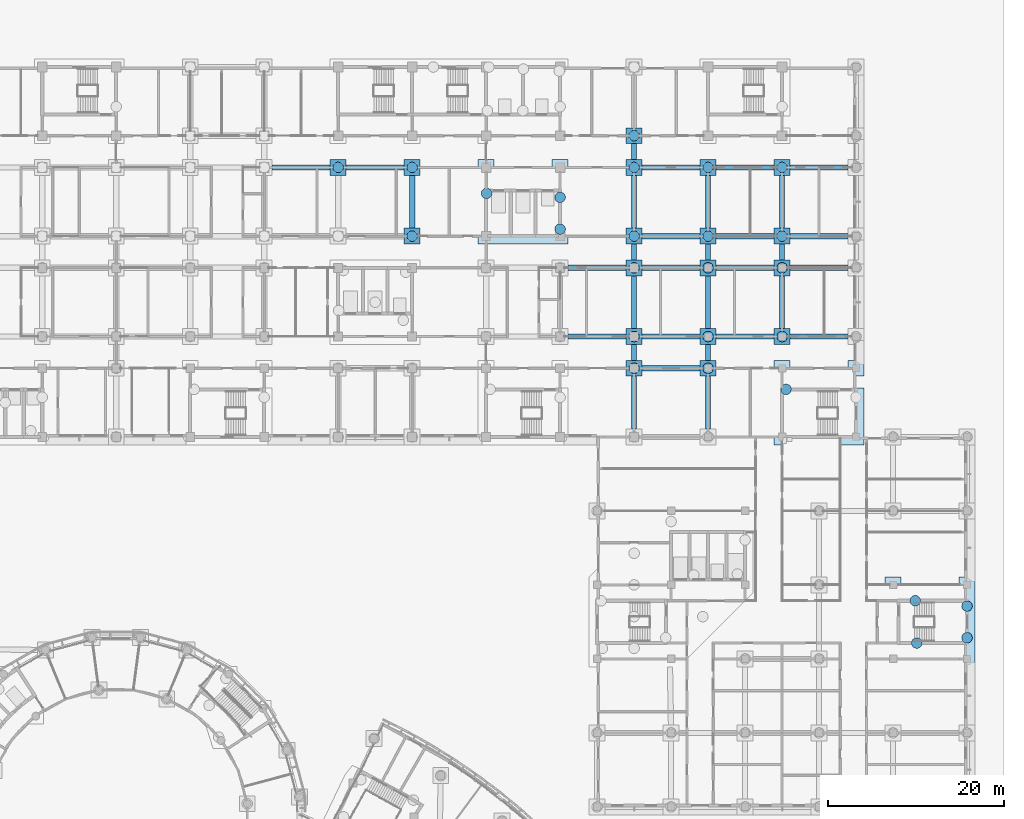
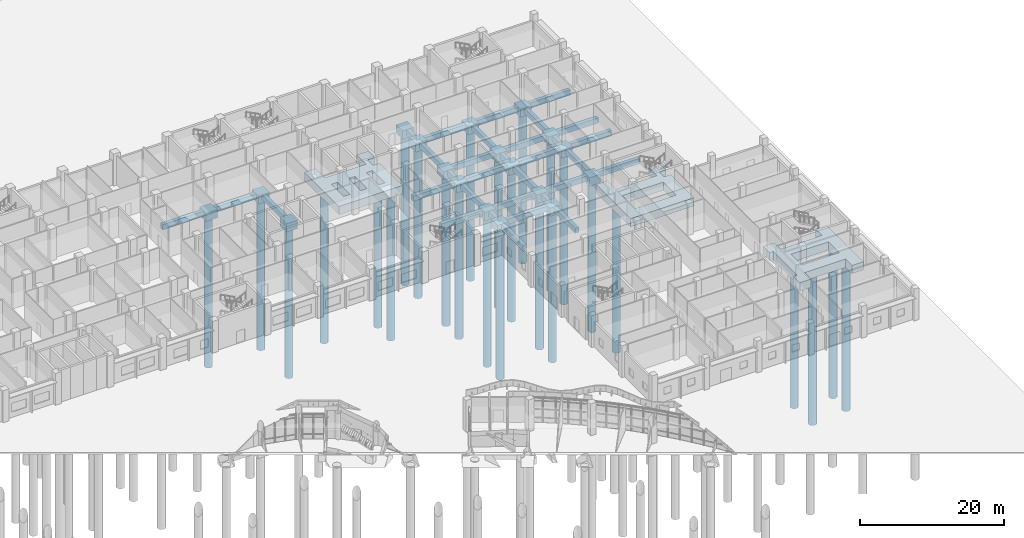
# One storey, part 9 of 146: 53 footings, 26 piles.
"""IFC4 building model written with IfcOpenShell, lengths in metres."""

from ifc_helpers import new_model, si_unit, direction, frame, origin, origin_2d, place, context, subcontext, project, spatial, polyline, rectangle, circle, outline, extrude, material, material_profile, profile_set, type_object, element, save


model = new_model("IFC4")

# Units and contexts
model_context = context("Model", 3, precision=1e-05, world=origin(), true_north=direction((0.0, 1.0)))
body_context = subcontext(model_context, "Body", "Model", "MODEL_VIEW")
ifc_project = project(units=[si_unit("LENGTHUNIT", "METRE"), si_unit("AREAUNIT", "SQUARE_METRE"), si_unit("VOLUMEUNIT", "CUBIC_METRE"), si_unit("PLANEANGLEUNIT", "RADIAN"), si_unit("MASSUNIT", "GRAM", prefix="KILO")], contexts=[model_context])

# Site, building, storey
site_placement = place(None, origin())
site = spatial("IfcSite", under=ifc_project, at=site_placement, CompositionType="ELEMENT")
building_placement = place(site_placement, origin())
building = spatial("IfcBuilding", under=site, at=building_placement, Name="Bougainvillea Quay General Hospital", CompositionType="ELEMENT")
storey_placement = place(building_placement, origin())
storey = spatial("IfcBuildingStorey", under=building, at=storey_placement, Name="L00", CompositionType="ELEMENT", Elevation=0.0)

# Piles
ifc_material_1 = material(Name="Concrete C40", Category="concrete")
ifc_material_profile_1 = material_profile(ifc_material_1, circle(Radius=0.60009765625, at=origin_2d()))
ifc_profile_set_1 = profile_set([ifc_material_profile_1], Name="Concrete C40")
pile_type = type_object("IfcPileType", Name="BORED PILE D1200 C40", PredefinedType="BORED", material=ifc_profile_set_1)
for number, where, z_axis, x_axis, name in (
    (1, (200.10009765625, 94.199951171875, -1.60009765625), (0.0, 0.0, -1.0), (1.0, 0.0, 0.0), "Bored pile 154-01"),
    (2, (205.800048828125, 94.800048828125, -1.60009765625), (0.0, 0.0, -1.0), (1.0, 0.0, 0.0), "Bored pile 154-02"),
    (3, (205.800048828125, 98.39990234375, -1.60009765625), (0.0, 0.0, -1.0), (1.0, 0.0, 0.0), "Bored pile 154-03"),
    (4, (199.925048828125, 99.0, -1.60009765625), (0.0, 0.0, -1.0), (1.0, 0.0, 0.0), "Bored pile 154-04"),
    (5, (185.25, 123.0, -1.60009765625), (0.0, 0.0, -1.0), (1.0, 0.0, 0.0), "Bored pile 196-02"),
    (6, (168.0, 125.39990234375, -1.60009765625), (0.0, 0.0, -1.0), (1.0, 0.0, 0.0), "Bored pile 202-01"),
    (7, (176.39990234375, 125.39990234375, -1.60009765625), (0.0, 0.0, -1.0), (1.0, 0.0, 0.0), "Bored pile 203-01"),
    (8, (168.0, 129.0, -1.60009765625), (0.0, 0.0, -1.0), (1.0, 0.0, 0.0), "Bored pile 215-01"),
    (9, (176.39990234375, 129.0, -1.60009765625), (0.0, 0.0, -1.0), (1.0, 0.0, 0.0), "Bored pile 216-01"),
    (10, (184.800048828125, 129.0, -1.60009765625), (0.0, 0.0, -1.0), (1.0, 0.0, 0.0), "Bored pile 217-01"),
    (11, (168.0, 136.800048828125, -1.60009765625), (0.0, 0.0, -1.0), (1.0, 0.0, 0.0), "Bored pile 232-01"),
    (12, (176.39990234375, 136.800048828125, -1.60009765625), (0.0, 0.0, -1.0), (1.0, 0.0, 0.0), "Bored pile 233-01"),
    (13, (184.800048828125, 136.800048828125, -1.60009765625), (0.0, 0.0, -1.0), (1.0, 0.0, 0.0), "Bored pile 234-01"),
    (14, (142.800048828125, 140.39990234375, -1.60009765625), (0.0, 0.0, -1.0), (1.0, 0.0, 0.0), "Bored pile 246-01"),
    (15, (168.0, 140.39990234375, -1.60009765625), (0.0, 0.0, -1.0), (1.0, 0.0, 0.0), "Bored pile 247-01"),
    (16, (176.39990234375, 140.39990234375, -1.60009765625), (0.0, 0.0, -1.0), (1.0, 0.0, 0.0), "Bored pile 248-01"),
    (17, (184.800048828125, 140.39990234375, -1.60009765625), (0.0, 0.0, -1.0), (1.0, 0.0, 0.0), "Bored pile 249-01"),
    (18, (159.60009765625, 141.199951171875, -1.60009765625), (0.0, 0.0, -1.0), (1.0, 0.0, 0.0), "Bored pile 252-01"),
    (19, (159.60009765625, 144.800048828125, -1.60009765625), (0.0, 0.0, -1.0), (1.0, 0.0, 0.0), "Bored pile 252-02"),
    (20, (151.25, 145.25, -1.60009765625), (0.0, 0.0, -1.0), (1.0, 0.0, 0.0), "Bored pile 252-03"),
    (21, (134.39990234375, 148.199951171875, -1.60009765625), (0.0, 0.0, -1.0), (1.0, 0.0, 0.0), "Bored pile 262-01"),
    (22, (142.800048828125, 148.199951171875, -1.60009765625), (0.0, 0.0, -1.0), (1.0, 0.0, 0.0), "Bored pile 263-01"),
    (23, (168.0, 148.199951171875, -1.60009765625), (0.0, 0.0, -1.0), (1.0, 0.0, 0.0), "Bored pile 264-01"),
    (24, (176.39990234375, 148.199951171875, -1.60009765625), (0.0, 0.0, -1.0), (1.0, 0.0, 0.0), "Bored pile 265-01"),
    (25, (184.800048828125, 148.199951171875, -1.60009765625), (0.0, 0.0, -1.0), (1.0, 0.0, 0.0), "Bored pile 266-01"),
    (26, (168.0, 151.800048828125, -1.60009765625), (0.0, 0.0, -1.0), (1.0, 0.0, 0.0), "Bored pile 270-01"),
):
    element("IfcPile", number, at=place(storey_placement, frame(where, z_axis=z_axis, x_axis=x_axis)), inside=storey, type_object=pile_type, Name=name, PredefinedType="BORED", context=body_context, shape_type="SweptSolid", body=[
        extrude(circle(Radius=0.60009765625, at=origin_2d()), origin(), (0.0, 0.0, 1.0), 25.39990234375),
    ])

# Footings
ifc_material_2 = material(Name="Concrete C35", Category="concrete")
footing_type_1 = type_object("IfcFootingType", Name="PILE CAP 1P D1200 1800x1800x1400", PredefinedType="PILE_CAP", material=ifc_material_2)
footing_1_placement = place(storey_placement, frame((0.0, 0.0, -1.699951171875)))
element("IfcFooting", 27, at=footing_1_placement, inside=storey, type_object=footing_type_1, Name="Pile cap PC1 202", PredefinedType="PILE_CAP", context=body_context, shape_type="SweptSolid", body=[
    extrude(outline(polyline([(167.10009765625, 124.5), (168.89990234375, 124.5), (168.89990234375, 126.300048828125), (167.10009765625, 126.300048828125), (167.10009765625, 124.5)])), origin(), (0.0, 0.0, 1.0), 1.39990234375),
])
footing_2_placement = place(storey_placement, frame((0.0, 0.0, -1.699951171875)))
element("IfcFooting", 28, at=footing_2_placement, inside=storey, type_object=footing_type_1, Name="Pile cap PC1 203", PredefinedType="PILE_CAP", context=body_context, shape_type="SweptSolid", body=[
    extrude(outline(polyline([(175.5, 124.5), (177.300048828125, 124.5), (177.300048828125, 126.300048828125), (175.5, 126.300048828125), (175.5, 124.5)])), origin(), (0.0, 0.0, 1.0), 1.39990234375),
])
footing_3_placement = place(storey_placement, frame((0.0, 0.0, -1.699951171875)))
element("IfcFooting", 29, at=footing_3_placement, inside=storey, type_object=footing_type_1, Name="Pile cap PC1 215", PredefinedType="PILE_CAP", context=body_context, shape_type="SweptSolid", body=[
    extrude(outline(polyline([(167.10009765625, 128.10009765625), (168.89990234375, 128.10009765625), (168.89990234375, 129.89990234375), (167.10009765625, 129.89990234375), (167.10009765625, 128.10009765625)])), origin(), (0.0, 0.0, 1.0), 1.39990234375),
])
footing_4_placement = place(storey_placement, frame((0.0, 0.0, -1.699951171875)))
element("IfcFooting", 30, at=footing_4_placement, inside=storey, type_object=footing_type_1, Name="Pile cap PC1 216", PredefinedType="PILE_CAP", context=body_context, shape_type="SweptSolid", body=[
    extrude(outline(polyline([(175.5, 128.10009765625), (177.300048828125, 128.10009765625), (177.300048828125, 129.89990234375), (175.5, 129.89990234375), (175.5, 128.10009765625)])), origin(), (0.0, 0.0, 1.0), 1.39990234375),
])
footing_5_placement = place(storey_placement, frame((0.0, 0.0, -1.699951171875)))
element("IfcFooting", 31, at=footing_5_placement, inside=storey, type_object=footing_type_1, Name="Pile cap PC1 217", PredefinedType="PILE_CAP", context=body_context, shape_type="SweptSolid", body=[
    extrude(outline(polyline([(183.89990234375, 128.10009765625), (185.699951171875, 128.10009765625), (185.699951171875, 129.89990234375), (183.89990234375, 129.89990234375), (183.89990234375, 128.10009765625)])), origin(), (0.0, 0.0, 1.0), 1.39990234375),
])
footing_6_placement = place(storey_placement, frame((0.0, 0.0, -1.699951171875)))
element("IfcFooting", 32, at=footing_6_placement, inside=storey, type_object=footing_type_1, Name="Pile cap PC1 232", PredefinedType="PILE_CAP", context=body_context, shape_type="SweptSolid", body=[
    extrude(outline(polyline([(167.10009765625, 135.89990234375), (168.89990234375, 135.89990234375), (168.89990234375, 137.699951171875), (167.10009765625, 137.699951171875), (167.10009765625, 135.89990234375)])), origin(), (0.0, 0.0, 1.0), 1.39990234375),
])
footing_7_placement = place(storey_placement, frame((0.0, 0.0, -1.699951171875)))
element("IfcFooting", 33, at=footing_7_placement, inside=storey, type_object=footing_type_1, Name="Pile cap PC1 233", PredefinedType="PILE_CAP", context=body_context, shape_type="SweptSolid", body=[
    extrude(outline(polyline([(175.5, 135.89990234375), (177.300048828125, 135.89990234375), (177.300048828125, 137.699951171875), (175.5, 137.699951171875), (175.5, 135.89990234375)])), origin(), (0.0, 0.0, 1.0), 1.39990234375),
])
footing_8_placement = place(storey_placement, frame((0.0, 0.0, -1.699951171875)))
element("IfcFooting", 34, at=footing_8_placement, inside=storey, type_object=footing_type_1, Name="Pile cap PC1 234", PredefinedType="PILE_CAP", context=body_context, shape_type="SweptSolid", body=[
    extrude(outline(polyline([(183.89990234375, 135.89990234375), (185.699951171875, 135.89990234375), (185.699951171875, 137.699951171875), (183.89990234375, 137.699951171875), (183.89990234375, 135.89990234375)])), origin(), (0.0, 0.0, 1.0), 1.39990234375),
])
footing_9_placement = place(storey_placement, frame((0.0, 0.0, -1.699951171875)))
element("IfcFooting", 35, at=footing_9_placement, inside=storey, type_object=footing_type_1, Name="Pile cap PC1 246", PredefinedType="PILE_CAP", context=body_context, shape_type="SweptSolid", body=[
    extrude(outline(polyline([(141.89990234375, 139.5), (143.699951171875, 139.5), (143.699951171875, 141.300048828125), (141.89990234375, 141.300048828125), (141.89990234375, 139.5)])), origin(), (0.0, 0.0, 1.0), 1.39990234375),
])
footing_10_placement = place(storey_placement, frame((0.0, 0.0, -1.699951171875)))
element("IfcFooting", 36, at=footing_10_placement, inside=storey, type_object=footing_type_1, Name="Pile cap PC1 247", PredefinedType="PILE_CAP", context=body_context, shape_type="SweptSolid", body=[
    extrude(outline(polyline([(167.10009765625, 139.5), (168.89990234375, 139.5), (168.89990234375, 141.300048828125), (167.10009765625, 141.300048828125), (167.10009765625, 139.5)])), origin(), (0.0, 0.0, 1.0), 1.39990234375),
])
footing_11_placement = place(storey_placement, frame((0.0, 0.0, -1.699951171875)))
element("IfcFooting", 37, at=footing_11_placement, inside=storey, type_object=footing_type_1, Name="Pile cap PC1 248", PredefinedType="PILE_CAP", context=body_context, shape_type="SweptSolid", body=[
    extrude(outline(polyline([(175.5, 139.5), (177.300048828125, 139.5), (177.300048828125, 141.300048828125), (175.5, 141.300048828125), (175.5, 139.5)])), origin(), (0.0, 0.0, 1.0), 1.39990234375),
])
footing_12_placement = place(storey_placement, frame((0.0, 0.0, -1.699951171875)))
element("IfcFooting", 38, at=footing_12_placement, inside=storey, type_object=footing_type_1, Name="Pile cap PC1 249", PredefinedType="PILE_CAP", context=body_context, shape_type="SweptSolid", body=[
    extrude(outline(polyline([(183.89990234375, 139.5), (185.699951171875, 139.5), (185.699951171875, 141.300048828125), (183.89990234375, 141.300048828125), (183.89990234375, 139.5)])), origin(), (0.0, 0.0, 1.0), 1.39990234375),
])
footing_13_placement = place(storey_placement, frame((0.0, 0.0, -1.699951171875)))
element("IfcFooting", 39, at=footing_13_placement, inside=storey, type_object=footing_type_1, Name="Pile cap PC1 262", PredefinedType="PILE_CAP", context=body_context, shape_type="SweptSolid", body=[
    extrude(outline(polyline([(133.5, 147.300048828125), (135.300048828125, 147.300048828125), (135.300048828125, 149.10009765625), (133.5, 149.10009765625), (133.5, 147.300048828125)])), origin(), (0.0, 0.0, 1.0), 1.39990234375),
])
footing_14_placement = place(storey_placement, frame((0.0, 0.0, -1.699951171875)))
element("IfcFooting", 40, at=footing_14_placement, inside=storey, type_object=footing_type_1, Name="Pile cap PC1 263", PredefinedType="PILE_CAP", context=body_context, shape_type="SweptSolid", body=[
    extrude(outline(polyline([(141.89990234375, 147.300048828125), (143.699951171875, 147.300048828125), (143.699951171875, 149.10009765625), (141.89990234375, 149.10009765625), (141.89990234375, 147.300048828125)])), origin(), (0.0, 0.0, 1.0), 1.39990234375),
])
footing_15_placement = place(storey_placement, frame((0.0, 0.0, -1.699951171875)))
element("IfcFooting", 41, at=footing_15_placement, inside=storey, type_object=footing_type_1, Name="Pile cap PC1 264", PredefinedType="PILE_CAP", context=body_context, shape_type="SweptSolid", body=[
    extrude(outline(polyline([(167.10009765625, 147.300048828125), (168.89990234375, 147.300048828125), (168.89990234375, 149.10009765625), (167.10009765625, 149.10009765625), (167.10009765625, 147.300048828125)])), origin(), (0.0, 0.0, 1.0), 1.39990234375),
])
footing_16_placement = place(storey_placement, frame((0.0, 0.0, -1.699951171875)))
element("IfcFooting", 42, at=footing_16_placement, inside=storey, type_object=footing_type_1, Name="Pile cap PC1 265", PredefinedType="PILE_CAP", context=body_context, shape_type="SweptSolid", body=[
    extrude(outline(polyline([(175.5, 147.300048828125), (177.300048828125, 147.300048828125), (177.300048828125, 149.10009765625), (175.5, 149.10009765625), (175.5, 147.300048828125)])), origin(), (0.0, 0.0, 1.0), 1.39990234375),
])
footing_17_placement = place(storey_placement, frame((0.0, 0.0, -1.699951171875)))
element("IfcFooting", 43, at=footing_17_placement, inside=storey, type_object=footing_type_1, Name="Pile cap PC1 266", PredefinedType="PILE_CAP", context=body_context, shape_type="SweptSolid", body=[
    extrude(outline(polyline([(183.89990234375, 147.300048828125), (185.699951171875, 147.300048828125), (185.699951171875, 149.10009765625), (183.89990234375, 149.10009765625), (183.89990234375, 147.300048828125)])), origin(), (0.0, 0.0, 1.0), 1.39990234375),
])
footing_18_placement = place(storey_placement, frame((0.0, 0.0, -1.699951171875)))
element("IfcFooting", 44, at=footing_18_placement, inside=storey, type_object=footing_type_1, Name="Pile cap PC1 270", PredefinedType="PILE_CAP", context=body_context, shape_type="SweptSolid", body=[
    extrude(outline(polyline([(167.10009765625, 150.89990234375), (168.89990234375, 150.89990234375), (168.89990234375, 152.699951171875), (167.10009765625, 152.699951171875), (167.10009765625, 150.89990234375)])), origin(), (0.0, 0.0, 1.0), 1.39990234375),
])
footing_type_2 = type_object("IfcFootingType", Name="PILE CAP RAFT 2P D1200 5690", PredefinedType="PILE_CAP", material=ifc_material_2)
footing_19_placement = place(storey_placement, frame((0.0, 0.0, -1.699951171875)))
element("IfcFooting", 45, at=footing_19_placement, inside=storey, type_object=footing_type_2, Name="Pile cap PC18 196", PredefinedType="PILE_CAP", context=body_context, shape_type="SweptSolid", body=[
    extrude(outline(polyline([(194.10009765625, 116.699951171875), (183.89990234375, 116.699951171875), (183.89990234375, 126.300048828125), (185.699951171875, 126.300048828125), (185.699951171875, 123.89990234375), (192.300048828125, 123.89990234375), (192.300048828125, 126.300048828125), (194.10009765625, 126.300048828125), (194.10009765625, 124.5), (193.02490234375, 124.5), (193.02490234375, 123.175048828125), (194.10009765625, 123.175048828125), (194.10009765625, 116.699951171875)]), holes=[polyline([(192.300048828125, 122.10009765625), (185.699951171875, 122.10009765625), (185.699951171875, 118.5), (192.300048828125, 118.5), (192.300048828125, 122.10009765625)])]), origin(), (0.0, 0.0, 1.0), 1.39990234375),
])
footing_type_3 = type_object("IfcFootingType", Name="PILE CAP RAFT 3P D1200 6892", PredefinedType="PILE_CAP", material=ifc_material_2)
footing_20_placement = place(storey_placement, frame((0.0, 0.0, -1.699951171875)))
element("IfcFooting", 46, at=footing_20_placement, inside=storey, type_object=footing_type_3, Name="Pile cap PC20 252", PredefinedType="PILE_CAP", context=body_context, shape_type="SweptSolid", body=[
    extrude(outline(polyline([(160.5, 139.5), (150.300048828125, 139.5), (150.300048828125, 149.10009765625), (152.10009765625, 149.10009765625), (152.10009765625, 146.5), (158.699951171875, 146.5), (158.699951171875, 149.10009765625), (160.5, 149.10009765625), (160.5, 147.300048828125), (159.425048828125, 147.300048828125), (159.425048828125, 145.77490234375), (160.5, 145.77490234375), (160.5, 139.5)]), holes=[polyline([(158.699951171875, 144.699951171875), (157.699951171875, 144.699951171875), (157.699951171875, 141.300048828125), (158.699951171875, 141.300048828125), (158.699951171875, 144.699951171875)]), polyline([(155.89990234375, 141.300048828125), (155.89990234375, 144.699951171875), (154.89990234375, 144.699951171875), (154.89990234375, 141.300048828125), (155.89990234375, 141.300048828125)]), polyline([(153.10009765625, 141.300048828125), (153.10009765625, 144.699951171875), (152.10009765625, 144.699951171875), (152.10009765625, 141.300048828125), (153.10009765625, 141.300048828125)])]), origin(), (0.0, 0.0, 1.0), 1.39990234375),
])
footing_type_4 = type_object("IfcFootingType", Name="PILE CAP RAFT 4P D1200 5832", PredefinedType="PILE_CAP", material=ifc_material_2)
footing_21_placement = place(storey_placement, frame((0.0, 0.0, -1.699951171875)))
element("IfcFooting", 47, at=footing_21_placement, inside=storey, type_object=footing_type_4, Name="Pile cap PC15 154", PredefinedType="PILE_CAP", context=body_context, shape_type="SweptSolid", body=[
    extrude(outline(polyline([(206.699951171875, 91.5), (204.89990234375, 91.5), (204.89990234375, 93.300048828125), (198.300048828125, 93.300048828125), (198.300048828125, 91.5), (196.5, 91.5), (196.5, 93.300048828125), (197.10009765625, 93.300048828125), (197.10009765625, 99.89990234375), (196.5, 99.89990234375), (196.5, 101.699951171875), (198.300048828125, 101.699951171875), (198.300048828125, 99.89990234375), (204.89990234375, 99.89990234375), (204.89990234375, 101.699951171875), (206.699951171875, 101.699951171875), (206.699951171875, 91.5)]), holes=[polyline([(198.89990234375, 98.10009765625), (198.89990234375, 95.10009765625), (204.89990234375, 95.10009765625), (204.89990234375, 98.10009765625), (198.89990234375, 98.10009765625)])]), origin(), (0.0, 0.0, 1.0), 1.39990234375),
])
ifc_material_profile_2 = material_profile(ifc_material_2, rectangle(XDim=0.60009765625, YDim=0.89990234375, at=origin_2d()))
ifc_profile_set_2 = profile_set([ifc_material_profile_2], Name="Concrete C35")
footing_type_5 = type_object("IfcFootingType", Name="RC GROUND BEAM 600x900 C35", PredefinedType="FOOTING_BEAM", material=ifc_profile_set_2)
footing_22_placement = place(storey_placement, frame((0.0, 0.0, -1.199951171875)))
element("IfcFooting", 48, at=footing_22_placement, inside=storey, type_object=footing_type_5, Name="Ground beam 189", PredefinedType="FOOTING_BEAM", context=body_context, shape_type="SweptSolid", body=[
    extrude(outline(polyline([(167.699951171875, 118.5), (167.699951171875, 124.5), (168.300048828125, 124.5), (168.300048828125, 118.5), (167.699951171875, 118.5)])), origin(), (0.0, 0.0, 1.0), 0.89990234375),
])
footing_23_placement = place(storey_placement, frame((0.0, 0.0, -1.199951171875)))
element("IfcFooting", 49, at=footing_23_placement, inside=storey, type_object=footing_type_5, Name="Ground beam 191", PredefinedType="FOOTING_BEAM", context=body_context, shape_type="SweptSolid", body=[
    extrude(outline(polyline([(176.10009765625, 118.5), (176.10009765625, 124.5), (176.699951171875, 124.5), (176.699951171875, 118.5), (176.10009765625, 118.5)])), origin(), (0.0, 0.0, 1.0), 0.89990234375),
])
footing_24_placement = place(storey_placement, frame((0.0, 0.0, -1.199951171875)))
element("IfcFooting", 50, at=footing_24_placement, inside=storey, type_object=footing_type_5, Name="Ground beam 209", PredefinedType="FOOTING_BEAM", context=body_context, shape_type="SweptSolid", body=[
    extrude(outline(polyline([(168.89990234375, 125.699951171875), (175.5, 125.699951171875), (175.5, 125.10009765625), (168.89990234375, 125.10009765625), (168.89990234375, 125.699951171875)])), origin(), (0.0, 0.0, 1.0), 0.89990234375),
])
footing_25_placement = place(storey_placement, frame((0.0, 0.0, -1.199951171875)))
element("IfcFooting", 51, at=footing_25_placement, inside=storey, type_object=footing_type_5, Name="Ground beam 210", PredefinedType="FOOTING_BEAM", context=body_context, shape_type="SweptSolid", body=[
    extrude(outline(polyline([(167.699951171875, 126.300048828125), (167.699951171875, 128.10009765625), (168.300048828125, 128.10009765625), (168.300048828125, 126.300048828125), (167.699951171875, 126.300048828125)])), origin(), (0.0, 0.0, 1.0), 0.89990234375),
])
footing_26_placement = place(storey_placement, frame((0.0, 0.0, -1.199951171875)))
element("IfcFooting", 52, at=footing_26_placement, inside=storey, type_object=footing_type_5, Name="Ground beam 211", PredefinedType="FOOTING_BEAM", context=body_context, shape_type="SweptSolid", body=[
    extrude(outline(polyline([(176.10009765625, 126.300048828125), (176.10009765625, 128.10009765625), (176.699951171875, 128.10009765625), (176.699951171875, 126.300048828125), (176.10009765625, 126.300048828125)])), origin(), (0.0, 0.0, 1.0), 0.89990234375),
])
footing_27_placement = place(storey_placement, frame((0.0, 0.0, -1.199951171875)))
element("IfcFooting", 53, at=footing_27_placement, inside=storey, type_object=footing_type_5, Name="Ground beam 232", PredefinedType="FOOTING_BEAM", context=body_context, shape_type="SweptSolid", body=[
    extrude(outline(polyline([(160.5, 129.300048828125), (167.10009765625, 129.300048828125), (167.10009765625, 128.699951171875), (160.5, 128.699951171875), (160.5, 129.300048828125)])), origin(), (0.0, 0.0, 1.0), 0.89990234375),
])
footing_28_placement = place(storey_placement, frame((0.0, 0.0, -1.199951171875)))
element("IfcFooting", 54, at=footing_28_placement, inside=storey, type_object=footing_type_5, Name="Ground beam 234", PredefinedType="FOOTING_BEAM", context=body_context, shape_type="SweptSolid", body=[
    extrude(outline(polyline([(168.89990234375, 129.300048828125), (175.5, 129.300048828125), (175.5, 128.699951171875), (168.89990234375, 128.699951171875), (168.89990234375, 129.300048828125)])), origin(), (0.0, 0.0, 1.0), 0.89990234375),
])
footing_29_placement = place(storey_placement, frame((0.0, 0.0, -1.199951171875)))
element("IfcFooting", 55, at=footing_29_placement, inside=storey, type_object=footing_type_5, Name="Ground beam 235", PredefinedType="FOOTING_BEAM", context=body_context, shape_type="SweptSolid", body=[
    extrude(outline(polyline([(167.699951171875, 129.89990234375), (167.699951171875, 135.89990234375), (168.300048828125, 135.89990234375), (168.300048828125, 129.89990234375), (167.699951171875, 129.89990234375)])), origin(), (0.0, 0.0, 1.0), 0.89990234375),
])
footing_30_placement = place(storey_placement, frame((0.0, 0.0, -1.199951171875)))
element("IfcFooting", 56, at=footing_30_placement, inside=storey, type_object=footing_type_5, Name="Ground beam 236", PredefinedType="FOOTING_BEAM", context=body_context, shape_type="SweptSolid", body=[
    extrude(outline(polyline([(177.300048828125, 129.300048828125), (183.89990234375, 129.300048828125), (183.89990234375, 128.699951171875), (177.300048828125, 128.699951171875), (177.300048828125, 129.300048828125)])), origin(), (0.0, 0.0, 1.0), 0.89990234375),
])
footing_31_placement = place(storey_placement, frame((0.0, 0.0, -1.199951171875)))
element("IfcFooting", 57, at=footing_31_placement, inside=storey, type_object=footing_type_5, Name="Ground beam 237", PredefinedType="FOOTING_BEAM", context=body_context, shape_type="SweptSolid", body=[
    extrude(outline(polyline([(176.10009765625, 129.89990234375), (176.10009765625, 135.89990234375), (176.699951171875, 135.89990234375), (176.699951171875, 129.89990234375), (176.10009765625, 129.89990234375)])), origin(), (0.0, 0.0, 1.0), 0.89990234375),
])
footing_32_placement = place(storey_placement, frame((0.0, 0.0, -1.199951171875)))
element("IfcFooting", 58, at=footing_32_placement, inside=storey, type_object=footing_type_5, Name="Ground beam 238", PredefinedType="FOOTING_BEAM", context=body_context, shape_type="SweptSolid", body=[
    extrude(outline(polyline([(185.699951171875, 129.300048828125), (192.300048828125, 129.300048828125), (192.300048828125, 128.699951171875), (185.699951171875, 128.699951171875), (185.699951171875, 129.300048828125)])), origin(), (0.0, 0.0, 1.0), 0.89990234375),
])
footing_33_placement = place(storey_placement, frame((0.0, 0.0, -1.199951171875)))
element("IfcFooting", 59, at=footing_33_placement, inside=storey, type_object=footing_type_5, Name="Ground beam 239", PredefinedType="FOOTING_BEAM", context=body_context, shape_type="SweptSolid", body=[
    extrude(outline(polyline([(184.5, 129.89990234375), (184.5, 135.89990234375), (185.10009765625, 135.89990234375), (185.10009765625, 129.89990234375), (184.5, 129.89990234375)])), origin(), (0.0, 0.0, 1.0), 0.89990234375),
])
footing_34_placement = place(storey_placement, frame((0.0, 0.0, -1.199951171875)))
element("IfcFooting", 60, at=footing_34_placement, inside=storey, type_object=footing_type_5, Name="Ground beam 262", PredefinedType="FOOTING_BEAM", context=body_context, shape_type="SweptSolid", body=[
    extrude(outline(polyline([(160.5, 137.10009765625), (167.10009765625, 137.10009765625), (167.10009765625, 136.5), (160.5, 136.5), (160.5, 137.10009765625)])), origin(), (0.0, 0.0, 1.0), 0.89990234375),
])
footing_35_placement = place(storey_placement, frame((0.0, 0.0, -1.199951171875)))
element("IfcFooting", 61, at=footing_35_placement, inside=storey, type_object=footing_type_5, Name="Ground beam 263", PredefinedType="FOOTING_BEAM", context=body_context, shape_type="SweptSolid", body=[
    extrude(outline(polyline([(168.89990234375, 137.10009765625), (175.5, 137.10009765625), (175.5, 136.5), (168.89990234375, 136.5), (168.89990234375, 137.10009765625)])), origin(), (0.0, 0.0, 1.0), 0.89990234375),
])
footing_36_placement = place(storey_placement, frame((0.0, 0.0, -1.199951171875)))
element("IfcFooting", 62, at=footing_36_placement, inside=storey, type_object=footing_type_5, Name="Ground beam 264", PredefinedType="FOOTING_BEAM", context=body_context, shape_type="SweptSolid", body=[
    extrude(outline(polyline([(167.699951171875, 137.699951171875), (167.699951171875, 139.5), (168.300048828125, 139.5), (168.300048828125, 137.699951171875), (167.699951171875, 137.699951171875)])), origin(), (0.0, 0.0, 1.0), 0.89990234375),
])
footing_37_placement = place(storey_placement, frame((0.0, 0.0, -1.199951171875)))
element("IfcFooting", 63, at=footing_37_placement, inside=storey, type_object=footing_type_5, Name="Ground beam 265", PredefinedType="FOOTING_BEAM", context=body_context, shape_type="SweptSolid", body=[
    extrude(outline(polyline([(177.300048828125, 137.10009765625), (183.89990234375, 137.10009765625), (183.89990234375, 136.5), (177.300048828125, 136.5), (177.300048828125, 137.10009765625)])), origin(), (0.0, 0.0, 1.0), 0.89990234375),
])
footing_38_placement = place(storey_placement, frame((0.0, 0.0, -1.199951171875)))
element("IfcFooting", 64, at=footing_38_placement, inside=storey, type_object=footing_type_5, Name="Ground beam 266", PredefinedType="FOOTING_BEAM", context=body_context, shape_type="SweptSolid", body=[
    extrude(outline(polyline([(176.10009765625, 137.699951171875), (176.10009765625, 139.5), (176.699951171875, 139.5), (176.699951171875, 137.699951171875), (176.10009765625, 137.699951171875)])), origin(), (0.0, 0.0, 1.0), 0.89990234375),
])
footing_39_placement = place(storey_placement, frame((0.0, 0.0, -1.199951171875)))
element("IfcFooting", 65, at=footing_39_placement, inside=storey, type_object=footing_type_5, Name="Ground beam 267", PredefinedType="FOOTING_BEAM", context=body_context, shape_type="SweptSolid", body=[
    extrude(outline(polyline([(185.699951171875, 137.10009765625), (192.300048828125, 137.10009765625), (192.300048828125, 136.5), (185.699951171875, 136.5), (185.699951171875, 137.10009765625)])), origin(), (0.0, 0.0, 1.0), 0.89990234375),
])
footing_40_placement = place(storey_placement, frame((0.0, 0.0, -1.199951171875)))
element("IfcFooting", 66, at=footing_40_placement, inside=storey, type_object=footing_type_5, Name="Ground beam 268", PredefinedType="FOOTING_BEAM", context=body_context, shape_type="SweptSolid", body=[
    extrude(outline(polyline([(184.5, 137.699951171875), (184.5, 139.5), (185.10009765625, 139.5), (185.10009765625, 137.699951171875), (184.5, 137.699951171875)])), origin(), (0.0, 0.0, 1.0), 0.89990234375),
])
footing_41_placement = place(storey_placement, frame((0.0, 0.0, -1.199951171875)))
element("IfcFooting", 67, at=footing_41_placement, inside=storey, type_object=footing_type_5, Name="Ground beam 291", PredefinedType="FOOTING_BEAM", context=body_context, shape_type="SweptSolid", body=[
    extrude(outline(polyline([(142.5, 141.300048828125), (142.5, 147.300048828125), (143.10009765625, 147.300048828125), (143.10009765625, 141.300048828125), (142.5, 141.300048828125)])), origin(), (0.0, 0.0, 1.0), 0.89990234375),
])
footing_42_placement = place(storey_placement, frame((0.0, 0.0, -1.199951171875)))
element("IfcFooting", 68, at=footing_42_placement, inside=storey, type_object=footing_type_5, Name="Ground beam 292", PredefinedType="FOOTING_BEAM", context=body_context, shape_type="SweptSolid", body=[
    extrude(outline(polyline([(168.89990234375, 140.699951171875), (175.5, 140.699951171875), (175.5, 140.10009765625), (168.89990234375, 140.10009765625), (168.89990234375, 140.699951171875)])), origin(), (0.0, 0.0, 1.0), 0.89990234375),
])
footing_43_placement = place(storey_placement, frame((0.0, 0.0, -1.199951171875)))
element("IfcFooting", 69, at=footing_43_placement, inside=storey, type_object=footing_type_5, Name="Ground beam 293", PredefinedType="FOOTING_BEAM", context=body_context, shape_type="SweptSolid", body=[
    extrude(outline(polyline([(167.699951171875, 141.300048828125), (167.699951171875, 147.300048828125), (168.300048828125, 147.300048828125), (168.300048828125, 141.300048828125), (167.699951171875, 141.300048828125)])), origin(), (0.0, 0.0, 1.0), 0.89990234375),
])
footing_44_placement = place(storey_placement, frame((0.0, 0.0, -1.199951171875)))
element("IfcFooting", 70, at=footing_44_placement, inside=storey, type_object=footing_type_5, Name="Ground beam 294", PredefinedType="FOOTING_BEAM", context=body_context, shape_type="SweptSolid", body=[
    extrude(outline(polyline([(177.300048828125, 140.699951171875), (183.89990234375, 140.699951171875), (183.89990234375, 140.10009765625), (177.300048828125, 140.10009765625), (177.300048828125, 140.699951171875)])), origin(), (0.0, 0.0, 1.0), 0.89990234375),
])
footing_45_placement = place(storey_placement, frame((0.0, 0.0, -1.199951171875)))
element("IfcFooting", 71, at=footing_45_placement, inside=storey, type_object=footing_type_5, Name="Ground beam 295", PredefinedType="FOOTING_BEAM", context=body_context, shape_type="SweptSolid", body=[
    extrude(outline(polyline([(176.10009765625, 141.300048828125), (176.10009765625, 147.300048828125), (176.699951171875, 147.300048828125), (176.699951171875, 141.300048828125), (176.10009765625, 141.300048828125)])), origin(), (0.0, 0.0, 1.0), 0.89990234375),
])
footing_46_placement = place(storey_placement, frame((0.0, 0.0, -1.199951171875)))
element("IfcFooting", 72, at=footing_46_placement, inside=storey, type_object=footing_type_5, Name="Ground beam 296", PredefinedType="FOOTING_BEAM", context=body_context, shape_type="SweptSolid", body=[
    extrude(outline(polyline([(185.699951171875, 140.699951171875), (192.300048828125, 140.699951171875), (192.300048828125, 140.10009765625), (185.699951171875, 140.10009765625), (185.699951171875, 140.699951171875)])), origin(), (0.0, 0.0, 1.0), 0.89990234375),
])
footing_47_placement = place(storey_placement, frame((0.0, 0.0, -1.199951171875)))
element("IfcFooting", 73, at=footing_47_placement, inside=storey, type_object=footing_type_5, Name="Ground beam 297", PredefinedType="FOOTING_BEAM", context=body_context, shape_type="SweptSolid", body=[
    extrude(outline(polyline([(184.5, 141.300048828125), (184.5, 147.300048828125), (185.10009765625, 147.300048828125), (185.10009765625, 141.300048828125), (184.5, 141.300048828125)])), origin(), (0.0, 0.0, 1.0), 0.89990234375),
])
footing_48_placement = place(storey_placement, frame((0.0, 0.0, -1.199951171875)))
element("IfcFooting", 74, at=footing_48_placement, inside=storey, type_object=footing_type_5, Name="Ground beam 309", PredefinedType="FOOTING_BEAM", context=body_context, shape_type="SweptSolid", body=[
    extrude(outline(polyline([(126.89990234375, 148.5), (133.5, 148.5), (133.5, 147.89990234375), (126.89990234375, 147.89990234375), (126.89990234375, 148.5)])), origin(), (0.0, 0.0, 1.0), 0.89990234375),
])
footing_49_placement = place(storey_placement, frame((0.0, 0.0, -1.199951171875)))
element("IfcFooting", 75, at=footing_49_placement, inside=storey, type_object=footing_type_5, Name="Ground beam 311", PredefinedType="FOOTING_BEAM", context=body_context, shape_type="SweptSolid", body=[
    extrude(outline(polyline([(135.300048828125, 148.5), (141.89990234375, 148.5), (141.89990234375, 147.89990234375), (135.300048828125, 147.89990234375), (135.300048828125, 148.5)])), origin(), (0.0, 0.0, 1.0), 0.89990234375),
])
footing_50_placement = place(storey_placement, frame((0.0, 0.0, -1.199951171875)))
element("IfcFooting", 76, at=footing_50_placement, inside=storey, type_object=footing_type_5, Name="Ground beam 313", PredefinedType="FOOTING_BEAM", context=body_context, shape_type="SweptSolid", body=[
    extrude(outline(polyline([(168.89990234375, 148.5), (175.5, 148.5), (175.5, 147.89990234375), (168.89990234375, 147.89990234375), (168.89990234375, 148.5)])), origin(), (0.0, 0.0, 1.0), 0.89990234375),
])
footing_51_placement = place(storey_placement, frame((0.0, 0.0, -1.199951171875)))
element("IfcFooting", 77, at=footing_51_placement, inside=storey, type_object=footing_type_5, Name="Ground beam 314", PredefinedType="FOOTING_BEAM", context=body_context, shape_type="SweptSolid", body=[
    extrude(outline(polyline([(167.699951171875, 149.10009765625), (167.699951171875, 150.89990234375), (168.300048828125, 150.89990234375), (168.300048828125, 149.10009765625), (167.699951171875, 149.10009765625)])), origin(), (0.0, 0.0, 1.0), 0.89990234375),
])
footing_52_placement = place(storey_placement, frame((0.0, 0.0, -1.199951171875)))
element("IfcFooting", 78, at=footing_52_placement, inside=storey, type_object=footing_type_5, Name="Ground beam 315", PredefinedType="FOOTING_BEAM", context=body_context, shape_type="SweptSolid", body=[
    extrude(outline(polyline([(177.300048828125, 148.5), (183.89990234375, 148.5), (183.89990234375, 147.89990234375), (177.300048828125, 147.89990234375), (177.300048828125, 148.5)])), origin(), (0.0, 0.0, 1.0), 0.89990234375),
])
footing_53_placement = place(storey_placement, frame((0.0, 0.0, -1.199951171875)))
element("IfcFooting", 79, at=footing_53_placement, inside=storey, type_object=footing_type_5, Name="Ground beam 316", PredefinedType="FOOTING_BEAM", context=body_context, shape_type="SweptSolid", body=[
    extrude(outline(polyline([(185.699951171875, 148.5), (192.300048828125, 148.5), (192.300048828125, 147.89990234375), (185.699951171875, 147.89990234375), (185.699951171875, 148.5)])), origin(), (0.0, 0.0, 1.0), 0.89990234375),
])

save(model, "model.ifc")
